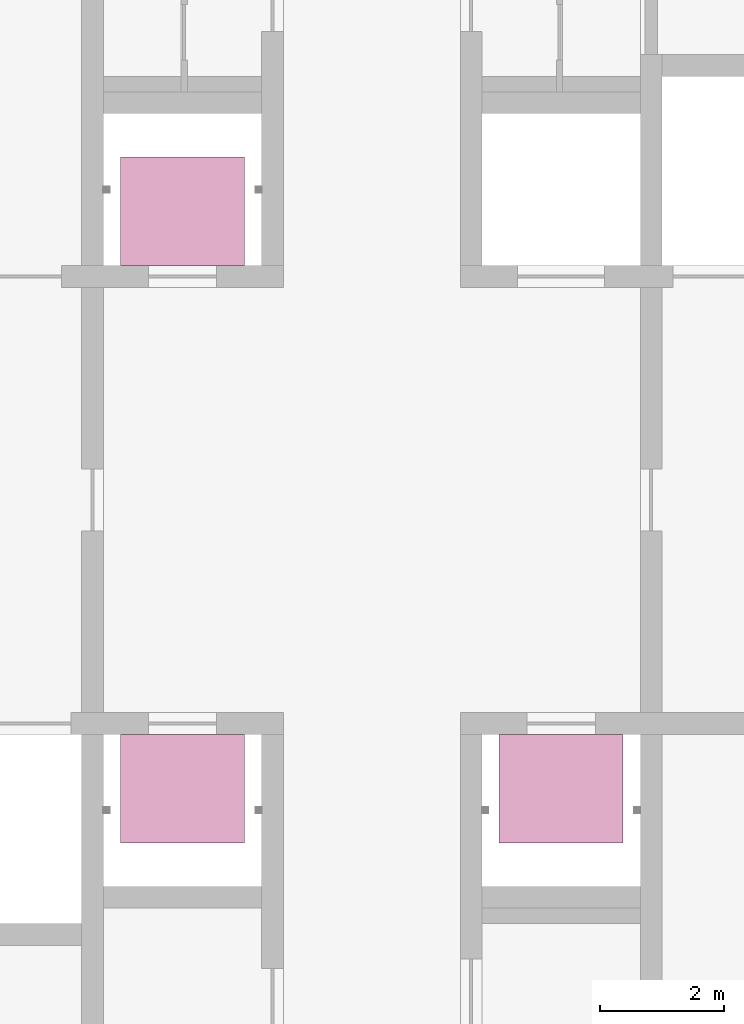
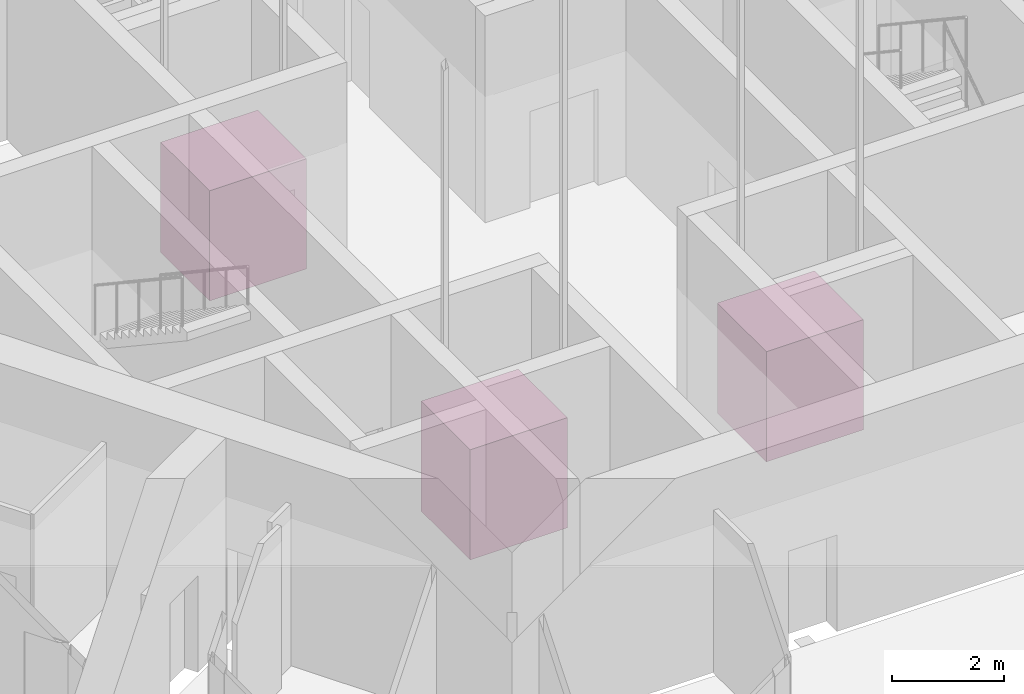
# One storey, part 17 of 17: 3 transport elements.
"""IFC4 building model written with IfcOpenShell, lengths in metres."""

from ifc_helpers import new_model, si_unit, direction, frame, origin, origin_2d, place, context, subcontext, project, spatial, rectangle, extrude, material, type_object, element, save


model = new_model("IFC4")

# Units and contexts
model_context = context("Model", 3, precision=1e-05, world=origin(), true_north=direction((0.0, 1.0)))
body_context = subcontext(model_context, "Body", "Model", "MODEL_VIEW")
ifc_project = project(units=[si_unit("LENGTHUNIT", "METRE"), si_unit("AREAUNIT", "SQUARE_METRE"), si_unit("VOLUMEUNIT", "CUBIC_METRE"), si_unit("PLANEANGLEUNIT", "RADIAN"), si_unit("MASSUNIT", "GRAM", prefix="KILO")], contexts=[model_context])

# Site, building, storey
site_placement = place(None, origin())
site = spatial("IfcSite", under=ifc_project, at=site_placement, CompositionType="ELEMENT")
building_placement = place(site_placement, origin())
building = spatial("IfcBuilding", under=site, at=building_placement, Name="Kasaneha Research Tower", CompositionType="ELEMENT")
storey_placement = place(building_placement, frame((0.0, 0.0, 208.300048828125)))
storey = spatial("IfcBuildingStorey", under=building, at=storey_placement, Name="L52", CompositionType="ELEMENT", Elevation=208.300048828125)

# Transport elements
ifc_material = material(Name="Steel", Category="steel")
transport_element_type = type_object("IfcTransportElementType", Name="Passenger lift car 2000x1750 1600 kg", PredefinedType="ELEVATOR", material=ifc_material)
transport_element_1_placement = place(storey_placement, frame((0.0, 0.0, -208.300048828125)))
element("IfcTransportElement", 1, at=transport_element_1_placement, inside=storey, type_object=transport_element_type, Name="Lift LH3", PredefinedType="ELEVATOR", context=body_context, shape_type="SweptSolid", body=[
    extrude(rectangle(XDim=2.0, YDim=1.75, at=origin_2d()), frame((3.050048828125, -4.64990234375, 208.300048828125)), (0.0, 0.0, 1.0), 2.39990234375),
])
transport_element_2_placement = place(storey_placement, frame((0.0, 0.0, -208.300048828125)))
element("IfcTransportElement", 2, at=transport_element_2_placement, inside=storey, type_object=transport_element_type, Name="Lift LH2", PredefinedType="ELEVATOR", context=body_context, shape_type="SweptSolid", body=[
    extrude(rectangle(XDim=2.0, YDim=1.75, at=origin_2d()), frame((-3.050048828125, 4.64990234375, 208.300048828125)), (0.0, 0.0, 1.0), 2.39990234375),
])
transport_element_3_placement = place(storey_placement, frame((0.0, 0.0, -208.300048828125)))
element("IfcTransportElement", 3, at=transport_element_3_placement, inside=storey, type_object=transport_element_type, Name="Lift LH1", PredefinedType="ELEVATOR", context=body_context, shape_type="SweptSolid", body=[
    extrude(rectangle(XDim=2.0, YDim=1.75, at=origin_2d()), frame((-3.050048828125, -4.64990234375, 208.300048828125)), (0.0, 0.0, 1.0), 2.39990234375),
])

save(model, "model.ifc")
